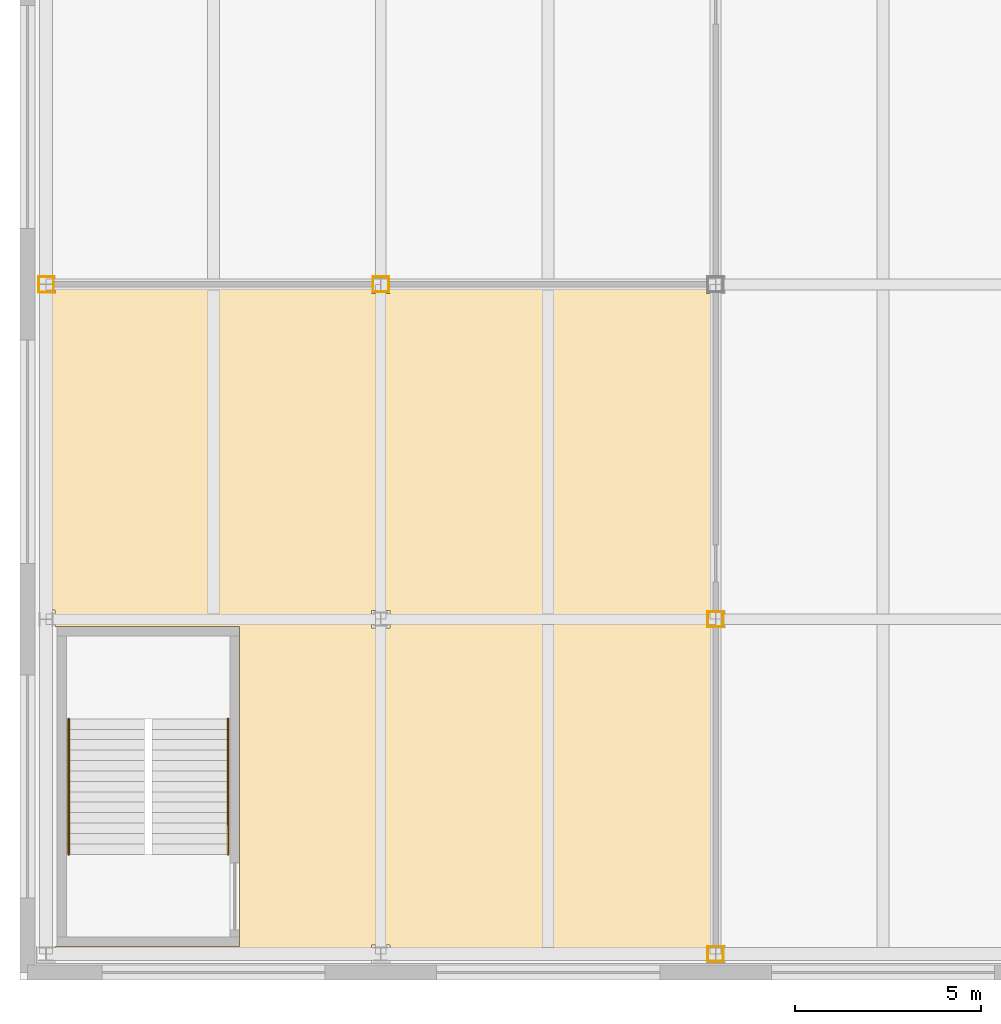
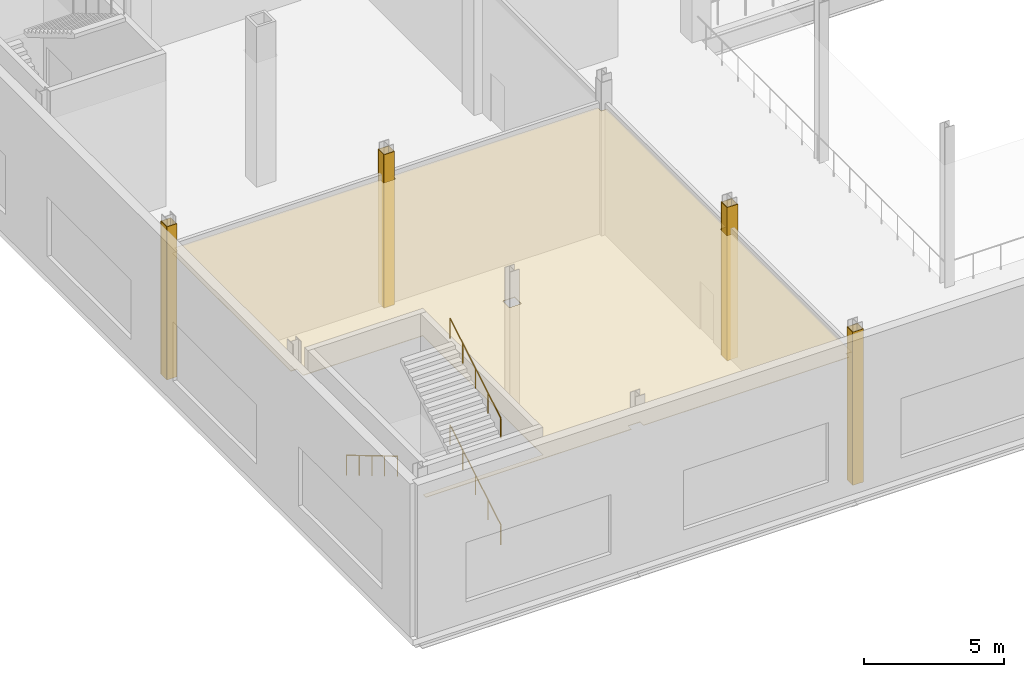
# One storey, part 18 of 32: 17 coverings, 3 railings.
"""IFC4 building model written with IfcOpenShell, lengths in metres."""

from ifc_helpers import new_model, si_unit, direction, frame, origin, origin_2d, place, context, subcontext, project, spatial, polyline, rectangle, circle, outline, extrude, material, layer, layer_set, type_object, element, save


model = new_model("IFC4")

# Units and contexts
model_context = context("Model", 3, precision=1e-05, world=origin(), true_north=direction((0.0, 1.0)))
body_context = subcontext(model_context, "Body", "Model", "MODEL_VIEW")
ifc_project = project(units=[si_unit("LENGTHUNIT", "METRE"), si_unit("AREAUNIT", "SQUARE_METRE"), si_unit("VOLUMEUNIT", "CUBIC_METRE"), si_unit("PLANEANGLEUNIT", "RADIAN"), si_unit("MASSUNIT", "GRAM", prefix="KILO")], contexts=[model_context])

# Site, building, storey
site_placement = place(None, origin())
site = spatial("IfcSite", under=ifc_project, at=site_placement, CompositionType="ELEMENT")
building_placement = place(site_placement, origin())
building = spatial("IfcBuilding", under=site, at=building_placement, Name="Loomwork Tower", CompositionType="ELEMENT")
storey_placement = place(building_placement, frame((0.0, 0.0, 16.0)))
storey = spatial("IfcBuildingStorey", under=building, at=storey_placement, Name="L03", CompositionType="ELEMENT", Elevation=16.0)

# Coverings
ifc_material_1 = material(Name="Two-hour fire-rated gypsum board casing")
ifc_layer_1 = layer(ifc_material_1, 0.02490234375)
ifc_layer_set_1 = layer_set([ifc_layer_1], Name="Column fire casing 25")
covering_type_1 = type_object("IfcCoveringType", Name="Column fire casing 25", PredefinedType="CLADDING", material=ifc_layer_set_1)
for number, where, z_axis, x_axis, name in (
    (1, (-9.0, -8.790771484375, 0.0), (0.0, 0.0, 1.0), (1.0, 0.0, 0.0), "Column casing -9 -9 L03"),
    (2, (-9.0, -9.209228515625, 0.0), (0.0, 0.0, 1.0), (1.0, 0.0, 0.0), "Column casing -9 -9 L03"),
):
    element("IfcCovering", number, at=place(storey_placement, frame(where, z_axis=z_axis, x_axis=x_axis)), inside=storey, type_object=covering_type_1, Name=name, PredefinedType="CLADDING", context=body_context, shape_type="SweptSolid", body=[
        extrude(rectangle(XDim=0.42578125, YDim=0.02490234375, at=origin_2d()), origin(), (0.0, 0.0, 1.0), 6.699951171875),
    ])
for number, where, z_axis, x_axis, name in (
    (3, (-8.799560546875, -9.0, 0.0), (0.0, 0.0, 1.0), (1.0, 0.0, 0.0), "Column casing -9 -9 L03"),
    (4, (-9.200439453125, -9.0, 0.0), (0.0, 0.0, 1.0), (1.0, 0.0, 0.0), "Column casing -9 -9 L03"),
):
    element("IfcCovering", number, at=place(storey_placement, frame(where, z_axis=z_axis, x_axis=x_axis)), inside=storey, type_object=covering_type_1, Name=name, PredefinedType="CLADDING", context=body_context, shape_type="SweptSolid", body=[
        extrude(rectangle(XDim=0.02490234375, YDim=0.393798828125, at=origin_2d()), origin(), (0.0, 0.0, 1.0), 6.699951171875),
    ])
for number, where, z_axis, x_axis, name in (
    (5, (0.0, -8.799560546875, 0.0), (0.0, 0.0, 1.0), (1.0, 0.0, 0.0), "Column casing 0 -9 L03"),
    (6, (0.0, -9.200439453125, 0.0), (0.0, 0.0, 1.0), (1.0, 0.0, 0.0), "Column casing 0 -9 L03"),
):
    element("IfcCovering", number, at=place(storey_placement, frame(where, z_axis=z_axis, x_axis=x_axis)), inside=storey, type_object=covering_type_1, Name=name, PredefinedType="CLADDING", context=body_context, shape_type="SweptSolid", body=[
        extrude(rectangle(XDim=0.443603515625, YDim=0.02490234375, at=origin_2d()), origin(), (0.0, 0.0, 1.0), 6.699951171875),
    ])
for number, where, z_axis, x_axis, name in (
    (7, (0.20947265625, -9.0, 0.0), (0.0, 0.0, 1.0), (1.0, 0.0, 0.0), "Column casing 0 -9 L03"),
    (8, (-0.20947265625, -9.0, 0.0), (0.0, 0.0, 1.0), (1.0, 0.0, 0.0), "Column casing 0 -9 L03"),
):
    element("IfcCovering", number, at=place(storey_placement, frame(where, z_axis=z_axis, x_axis=x_axis)), inside=storey, type_object=covering_type_1, Name=name, PredefinedType="CLADDING", context=body_context, shape_type="SweptSolid", body=[
        extrude(rectangle(XDim=0.02490234375, YDim=0.3759765625, at=origin_2d()), origin(), (0.0, 0.0, 1.0), 6.699951171875),
    ])
for number, where, z_axis, x_axis, name in (
    (9, (9.0, -26.799560546875, 0.0), (0.0, 0.0, 1.0), (1.0, 0.0, 0.0), "Column casing 9 -27 L03"),
    (10, (9.0, -27.200439453125, 0.0), (0.0, 0.0, 1.0), (1.0, 0.0, 0.0), "Column casing 9 -27 L03"),
):
    element("IfcCovering", number, at=place(storey_placement, frame(where, z_axis=z_axis, x_axis=x_axis)), inside=storey, type_object=covering_type_1, Name=name, PredefinedType="CLADDING", context=body_context, shape_type="SweptSolid", body=[
        extrude(rectangle(XDim=0.443603515625, YDim=0.02490234375, at=origin_2d()), origin(), (0.0, 0.0, 1.0), 6.699951171875),
    ])
for number, where, z_axis, x_axis, name in (
    (11, (9.209228515625, -27.0, 0.0), (0.0, 0.0, 1.0), (1.0, 0.0, 0.0), "Column casing 9 -27 L03"),
    (12, (8.790771484375, -27.0, 0.0), (0.0, 0.0, 1.0), (1.0, 0.0, 0.0), "Column casing 9 -27 L03"),
):
    element("IfcCovering", number, at=place(storey_placement, frame(where, z_axis=z_axis, x_axis=x_axis)), inside=storey, type_object=covering_type_1, Name=name, PredefinedType="CLADDING", context=body_context, shape_type="SweptSolid", body=[
        extrude(rectangle(XDim=0.02490234375, YDim=0.3759765625, at=origin_2d()), origin(), (0.0, 0.0, 1.0), 6.699951171875),
    ])
for number, where, z_axis, x_axis, name in (
    (13, (9.0, -17.799560546875, 0.0), (0.0, 0.0, 1.0), (1.0, 0.0, 0.0), "Column casing 9 -18 L03"),
    (14, (9.0, -18.200439453125, 0.0), (0.0, 0.0, 1.0), (1.0, 0.0, 0.0), "Column casing 9 -18 L03"),
):
    element("IfcCovering", number, at=place(storey_placement, frame(where, z_axis=z_axis, x_axis=x_axis)), inside=storey, type_object=covering_type_1, Name=name, PredefinedType="CLADDING", context=body_context, shape_type="SweptSolid", body=[
        extrude(rectangle(XDim=0.443603515625, YDim=0.02490234375, at=origin_2d()), origin(), (0.0, 0.0, 1.0), 6.699951171875),
    ])
for number, where, z_axis, x_axis, name in (
    (15, (9.209228515625, -18.0, 0.0), (0.0, 0.0, 1.0), (1.0, 0.0, 0.0), "Column casing 9 -18 L03"),
    (16, (8.790771484375, -18.0, 0.0), (0.0, 0.0, 1.0), (1.0, 0.0, 0.0), "Column casing 9 -18 L03"),
):
    element("IfcCovering", number, at=place(storey_placement, frame(where, z_axis=z_axis, x_axis=x_axis)), inside=storey, type_object=covering_type_1, Name=name, PredefinedType="CLADDING", context=body_context, shape_type="SweptSolid", body=[
        extrude(rectangle(XDim=0.02490234375, YDim=0.3759765625, at=origin_2d()), origin(), (0.0, 0.0, 1.0), 6.699951171875),
    ])

# Railings
ifc_material_2 = material(Name="Stainless steel handrail", Category="steel")
railing_type = type_object("IfcRailingType", Name="Handrail 900", PredefinedType="HANDRAIL", material=ifc_material_2)
railing_1_placement = place(storey_placement, frame((-4.110107421875, -24.320068359375, 0.166748046875)))
element("IfcRailing", 17, at=railing_1_placement, inside=storey, type_object=railing_type, Name="Podium stair PS1 handrail flight 1 L03", PredefinedType="HANDRAIL", context=body_context, shape_type="SweptSolid", body=[
    extrude(circle(Radius=0.02392578125, at=origin_2d()), frame((0.0, 0.0, 0.8759765625), z_axis=(0.0, 0.859318214192, 0.511441303336), x_axis=(-1.0, 0.0, 0.0)), (0.0, 0.0, 1.0), 4.236083984375),
    extrude(circle(Radius=0.02099609375, at=origin_2d()), origin(), (0.0, 0.0, 1.0), 0.851806640625),
    extrude(circle(Radius=0.02099609375, at=origin_2d()), frame((0.0, 0.91015625, 0.54150390625)), (0.0, 0.0, 1.0), 0.851806640625),
    extrude(circle(Radius=0.02099609375, at=origin_2d()), frame((0.0, 1.820068359375, 1.083251953125)), (0.0, 0.0, 1.0), 0.851806640625),
    extrude(circle(Radius=0.02099609375, at=origin_2d()), frame((0.0, 2.72998046875, 1.625)), (0.0, 0.0, 1.0), 0.851806640625),
    extrude(circle(Radius=0.02099609375, at=origin_2d()), frame((0.0, 3.64013671875, 2.16650390625)), (0.0, 0.0, 1.0), 0.851806640625),
])
railing_2_placement = place(storey_placement, frame((-8.389892578125, -20.679931640625, 2.5)))
element("IfcRailing", 18, at=railing_2_placement, inside=storey, type_object=railing_type, Name="Podium stair PS1 handrail flight 2 L03", PredefinedType="HANDRAIL", context=body_context, shape_type="SweptSolid", body=[
    extrude(circle(Radius=0.02392578125, at=origin_2d()), frame((0.0, 0.0, 0.8759765625), z_axis=(0.0, -0.859318214192, 0.511441303336), x_axis=(1.0, 0.0, 0.0)), (0.0, 0.0, 1.0), 4.236083984375),
    extrude(circle(Radius=0.02099609375, at=origin_2d()), origin(), (0.0, 0.0, 1.0), 0.851806640625),
    extrude(circle(Radius=0.02099609375, at=origin_2d()), frame((0.0, -0.91015625, 0.54150390625)), (0.0, 0.0, 1.0), 0.851806640625),
    extrude(circle(Radius=0.02099609375, at=origin_2d()), frame((0.0, -1.820068359375, 1.083251953125)), (0.0, 0.0, 1.0), 0.851806640625),
    extrude(circle(Radius=0.02099609375, at=origin_2d()), frame((0.0, -2.72998046875, 1.625)), (0.0, 0.0, 1.0), 0.851806640625),
    extrude(circle(Radius=0.02099609375, at=origin_2d()), frame((0.0, -3.64013671875, 2.16650390625)), (0.0, 0.0, 1.0), 0.851806640625),
])
railing_3_placement = place(storey_placement, frame((-4.110107421875, -24.320068359375, 4.83349609375)))
element("IfcRailing", 19, at=railing_3_placement, inside=storey, type_object=railing_type, Name="Podium stair PS1 handrail flight 3 L03", PredefinedType="HANDRAIL", context=body_context, shape_type="SweptSolid", body=[
    extrude(circle(Radius=0.02392578125, at=origin_2d()), frame((0.0, 0.0, 0.8759765625), z_axis=(0.0, 0.859318214192, 0.511441303336), x_axis=(-1.0, 0.0, 0.0)), (0.0, 0.0, 1.0), 4.236083984375),
    extrude(circle(Radius=0.02099609375, at=origin_2d()), origin(), (0.0, 0.0, 1.0), 0.851806640625),
    extrude(circle(Radius=0.02099609375, at=origin_2d()), frame((0.0, 0.91015625, 0.54150390625)), (0.0, 0.0, 1.0), 0.851806640625),
    extrude(circle(Radius=0.02099609375, at=origin_2d()), frame((0.0, 1.820068359375, 1.083251953125)), (0.0, 0.0, 1.0), 0.851806640625),
    extrude(circle(Radius=0.02099609375, at=origin_2d()), frame((0.0, 2.72998046875, 1.625)), (0.0, 0.0, 1.0), 0.851806640625),
    extrude(circle(Radius=0.02099609375, at=origin_2d()), frame((0.0, 3.64013671875, 2.16650390625)), (0.0, 0.0, 1.0), 0.851806640625),
])

# Covering
ifc_material_3 = material(Name="Mineral fibre acoustic tile on suspension grid")
ifc_layer_2 = layer(ifc_material_3, 0.02490234375)
ifc_layer_set_2 = layer_set([ifc_layer_2], Name="Suspended acoustic ceiling")
covering_type_2 = type_object("IfcCoveringType", Name="Suspended acoustic ceiling", PredefinedType="CEILING", material=ifc_layer_set_2)
covering_placement = place(storey_placement, frame((0.0, 0.0, 5.47509765625)))
element("IfcCovering", 20, at=covering_placement, inside=storey, type_object=covering_type_2, Name="Ceiling Meeting room 301 L03", PredefinedType="CEILING", context=body_context, shape_type="SweptSolid", body=[
    extrude(outline(polyline([(-3.800048828125, -26.800048828125), (-3.800048828125, -18.199951171875), (-8.761962890625, -18.199951171875), (-8.761962890625, -17.753173828125), (-9.0, -17.753173828125), (-9.0, -9.246826171875), (-8.761962890625, -9.246826171875), (-8.761962890625, -9.0), (-0.246826171875, -9.0), (-0.246826171875, -9.238037109375), (0.246826171875, -9.238037109375), (0.246826171875, -9.0), (8.753173828125, -9.0), (8.753173828125, -9.238037109375), (9.0, -9.238037109375), (9.0, -17.761962890625), (8.753173828125, -17.761962890625), (8.753173828125, -18.238037109375), (9.0, -18.238037109375), (9.0, -26.761962890625), (8.753173828125, -26.761962890625), (8.753173828125, -27.0), (0.246826171875, -27.0), (0.246826171875, -26.761962890625), (-0.246826171875, -26.761962890625), (-0.246826171875, -27.0), (-8.753173828125, -27.0), (-8.753173828125, -26.800048828125), (-3.800048828125, -26.800048828125)]), holes=[polyline([(-0.246826171875, -18.238037109375), (0.246826171875, -18.238037109375), (0.246826171875, -17.761962890625), (-0.246826171875, -17.761962890625), (-0.246826171875, -18.238037109375)])]), origin(), (0.0, 0.0, 1.0), 0.02490234375),
])

save(model, "model.ifc")
